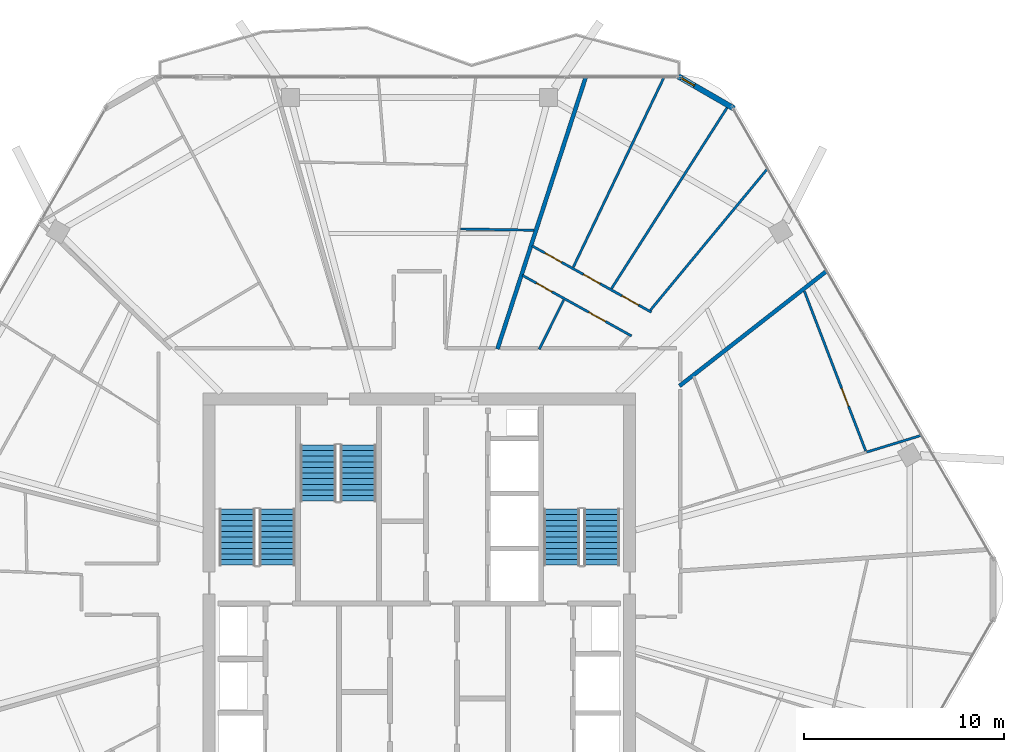
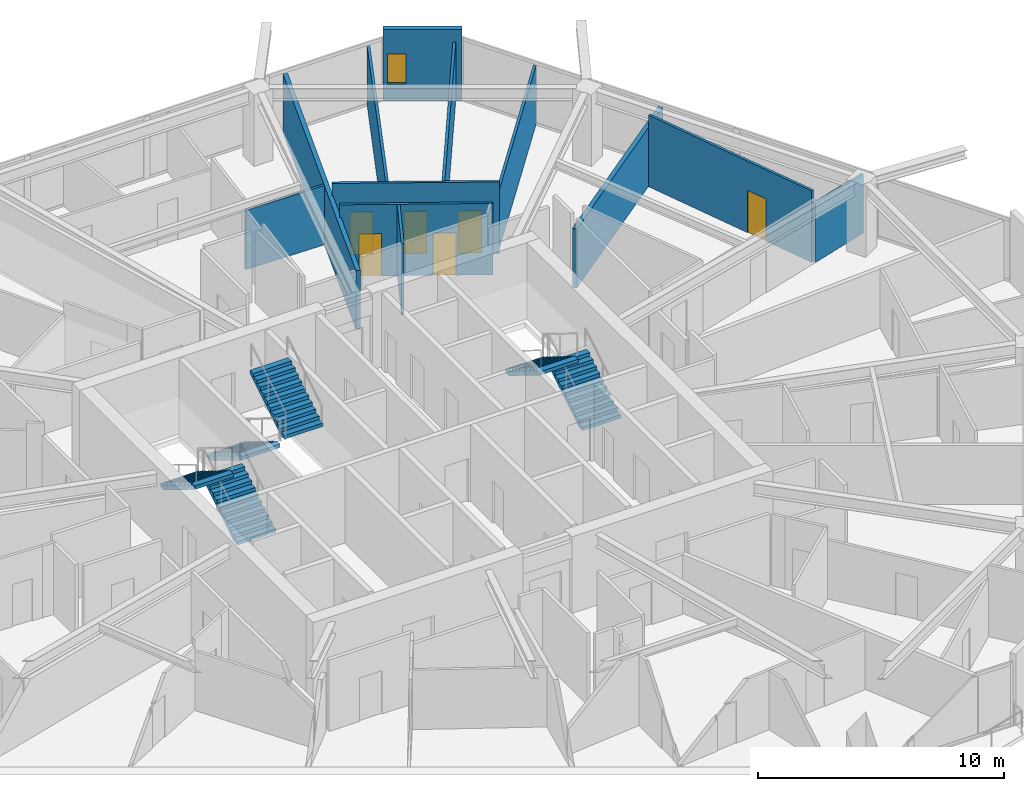
# One storey, part 24 of 26: 12 walls, 6 doors, 6 stair flights, 1 window, 7 openings, 3 elements without a shape of their own.
"""IFC4 building model written with IfcOpenShell, lengths in metres."""

from ifc_helpers import new_model, si_unit, direction, frame, frame_2d, origin, place, context, subcontext, project, spatial, polyline, rectangle, outline, extrude, material, layer, layer_set, type_object, element, fill, aggregate, save


model = new_model("IFC4")

# Units and contexts
model_context = context("Model", 3, precision=1e-05, world=origin(), true_north=direction((0.0, 1.0)))
body_context = subcontext(model_context, "Body", "Model", "MODEL_VIEW")
ifc_project = project(units=[si_unit("LENGTHUNIT", "METRE"), si_unit("AREAUNIT", "SQUARE_METRE"), si_unit("VOLUMEUNIT", "CUBIC_METRE"), si_unit("PLANEANGLEUNIT", "RADIAN"), si_unit("MASSUNIT", "GRAM", prefix="KILO")], contexts=[model_context])

# Site, building, storey
site_placement = place(None, origin())
site = spatial("IfcSite", under=ifc_project, at=site_placement, CompositionType="ELEMENT")
building_placement = place(site_placement, origin())
building = spatial("IfcBuilding", under=site, at=building_placement, Name="Zuhravey Tower", CompositionType="ELEMENT")
storey_placement = place(building_placement, frame((0.0, 0.0, 242.60009765625)))
storey = spatial("IfcBuildingStorey", under=building, at=storey_placement, Name="L61", CompositionType="ELEMENT", Elevation=242.60009765625)

# Wall, opening, window
ifc_material_1 = material(Name="Precast concrete C40/50", Category="concrete")
ifc_layer_1 = layer(ifc_material_1, 0.280029296875)
ifc_layer_set_1 = layer_set([ifc_layer_1], Name="Precast concrete C40/50")
wall_type_1 = type_object("IfcWallType", Name="Crown Architectural Wall 280", PredefinedType="SOLIDWALL", material=ifc_layer_set_1)
wall_1_placement = place(storey_placement, frame((48.930419921875, 57.611083984375, 0.0), z_axis=(0.0, 0.0, 1.0), x_axis=(0.866028773314, -0.499994163758, 0.0)))
wall_1 = element("IfcWall", 1, at=wall_1_placement, inside=storey, type_object=wall_type_1, Name="L61 Rounded Corner Closure Wall EW28-10", PredefinedType="SOLIDWALL", context=body_context, shape_type="SweptSolid", body=[
    extrude(rectangle(XDim=3.21484375, YDim=0.280029296875, at=frame_2d((1.607421875, 0.0))), origin(), (0.0, 0.0, 1.0), 3.5498046875),
])
opening_1_placement = place(wall_1_placement, frame((0.17578125, 0.0, 0.85009765625)))
opening_1 = element("IfcOpeningElement", 2, at=opening_1_placement, cuts=wall_1, Name="Opening WN5", PredefinedType="OPENING", context=body_context, shape_type="SweptSolid", body=[
    extrude(rectangle(XDim=0.75, YDim=1.5, at=frame_2d((0.375, 0.75))), frame((0.0, 0.152099609375, 0.0), z_axis=(0.0, -1.0, 0.0), x_axis=(1.0, 0.0, 0.0)), (0.0, 0.0, 1.0), 0.303955078125),
])
ifc_material_2 = material(Name="Thermally broken aluminium and triple low-E glass", Category="aluminium")
window_type = type_object("IfcWindowType", Name="Residential Corner Casement Window 750x1500", PartitioningType="SINGLE_PANEL", PredefinedType="WINDOW", material=ifc_material_2)
window_placement = place(opening_1_placement, origin())
window = element("IfcWindow", 3, at=window_placement, inside=storey, type_object=window_type, Name="L61 Corner Casement Window WN5-10.1", OverallHeight=1.5, OverallWidth=0.75, PartitioningType="SINGLE_PANEL", PredefinedType="WINDOW", context=body_context, shape_type="SweptSolid", body=[
    extrude(rectangle(XDim=0.75, YDim=1.5, at=frame_2d((0.375, 0.75))), frame((0.0, 0.030029296875, 0.0), z_axis=(0.0, -1.0, 0.0), x_axis=(1.0, 0.0, 0.0)), (0.0, 0.0, 1.0), 0.06005859375),
])
fill(opening_1, window)

# Walls
ifc_material_3 = material(Name="Gypsum double-stud party assembly")
ifc_layer_2 = layer(ifc_material_3, 0.199951171875)
ifc_layer_set_2 = layer_set([ifc_layer_2], Name="Gypsum double-stud party assembly")
wall_type_2 = type_object("IfcWallType", Name="Inter-Tenancy Party Wall 200", PredefinedType="PARTITIONING", material=ifc_layer_set_2)
wall_2_placement = place(storey_placement, frame((48.989990234375, 42.14892578125, 0.0), z_axis=(0.0, 0.0, 1.0), x_axis=(0.788003348051, 0.615670953887, 0.0)))
element("IfcWall", 4, at=wall_2_placement, inside=storey, type_object=wall_type_2, Name="L61 IW20 Partition 112", PredefinedType="PARTITIONING", context=body_context, shape_type="SweptSolid", body=[
    extrude(rectangle(XDim=9.330322265625, YDim=0.199951171875, at=frame_2d((4.6650390625, 0.0))), origin(), (0.0, 0.0, 1.0), 2.929931640625),
])
wall_3_placement = place(storey_placement, frame((39.895751953125, 43.989990234375, 0.0), z_axis=(0.0, 0.0, 1.0), x_axis=(0.309018769513, 0.951055939516, 0.0)))
element("IfcWall", 5, at=wall_3_placement, inside=storey, type_object=wall_type_2, Name="L61 IW20 Partition 118", PredefinedType="PARTITIONING", context=body_context, shape_type="SweptSolid", body=[
    extrude(rectangle(XDim=14.272216796875, YDim=0.199951171875, at=frame_2d((7.13623046875, 0.0))), origin(), (0.0, 0.0, 1.0), 2.929931640625),
])

# Wall, opening, door
ifc_material_4 = material(Name="Gypsum metal-stud partition")
ifc_layer_3 = layer(ifc_material_4, 0.1201171875)
ifc_layer_set_3 = layer_set([ifc_layer_3], Name="Gypsum metal-stud partition")
wall_type_3 = type_object("IfcWallType", Name="Unit Internal Partition 120", PredefinedType="PARTITIONING", material=ifc_layer_set_3)
wall_4_placement = place(storey_placement, frame((58.288818359375, 38.902587890625, 0.0), z_axis=(0.0, 0.0, 1.0), x_axis=(-0.358377768056, 0.933576657465, 0.0)))
wall_4 = element("IfcWall", 6, at=wall_4_placement, inside=storey, type_object=wall_type_3, Name="L61 IW12 Partition 059", PredefinedType="PARTITIONING", context=body_context, shape_type="SweptSolid", body=[
    extrude(rectangle(XDim=8.544189453125, YDim=0.1201171875, at=frame_2d((4.27197265625, 0.0))), origin(), (0.0, 0.0, 1.0), 3.5498046875),
])
opening_2_placement = place(wall_4_placement, frame((2.392822265625, 0.0, 0.0)))
opening_2 = element("IfcOpeningElement", 7, at=opening_2_placement, cuts=wall_4, Name="Opening IND1", PredefinedType="OPENING", context=body_context, shape_type="SweptSolid", body=[
    extrude(rectangle(XDim=0.949951171875, YDim=2.10009765625, at=frame_2d((0.47509765625, 1.050048828125))), frame((0.0, 0.072021484375, 0.0), z_axis=(0.0, -1.0, 0.0), x_axis=(1.0, 0.0, 0.0)), (0.0, 0.0, 1.0), 0.14404296875),
])
ifc_material_5 = material(Name="Painted engineered timber leaf", Category="wood")
door_type_1 = type_object("IfcDoorType", Name="Internal Room & Bedroom Door 950x2100", OperationType="NOTDEFINED", PredefinedType="DOOR", material=ifc_material_5)
door_1_placement = place(opening_2_placement, frame((0.949951171875, 0.0, 0.0), z_axis=(0.0, 0.0, 1.0), x_axis=(-1.0, 0.0, 0.0)))
door_1 = element("IfcDoor", 8, at=door_1_placement, inside=storey, type_object=door_type_1, Name="Apartment L61-09 Bedroom 1 Door", OperationType="SINGLE_SWING_RIGHT", OverallHeight=2.10009765625, OverallWidth=0.949951171875, PredefinedType="DOOR", context=body_context, shape_type="SweptSolid", body=[
    extrude(rectangle(XDim=0.949951171875, YDim=2.10009765625, at=frame_2d((0.47509765625, 1.050048828125))), frame((0.0, 0.02490234375, 0.0), z_axis=(0.0, -1.0, 0.0), x_axis=(1.0, 0.0, 0.0)), (0.0, 0.0, 1.0), 0.050048828125),
])
fill(opening_2, door_1)

# Wall, openings, doors
wall_5_placement = place(storey_placement, frame((46.597412109375, 44.644287109375, 0.0), z_axis=(0.0, 0.0, 1.0), x_axis=(-0.874105625874, 0.48573588998, 0.0)))
wall_5 = element("IfcWall", 9, at=wall_5_placement, inside=storey, type_object=wall_type_3, Name="L61 IW12 Partition 061", PredefinedType="PARTITIONING", context=body_context, shape_type="SweptSolid", body=[
    extrude(rectangle(XDim=6.24365234375, YDim=0.1201171875, at=frame_2d((3.121826171875, 0.0))), origin(), (0.0, 0.0, 1.0), 3.5498046875),
])
opening_3_placement = place(wall_5_placement, frame((1.4951171875, 0.0, 0.0)))
opening_3 = element("IfcOpeningElement", 10, at=opening_3_placement, cuts=wall_5, Name="Opening IND1", PredefinedType="OPENING", context=body_context, shape_type="SweptSolid", body=[
    extrude(rectangle(XDim=0.949951171875, YDim=2.10009765625, at=frame_2d((0.47509765625, 1.050048828125))), frame((0.0, 0.072021484375, 0.0), z_axis=(0.0, -1.0, 0.0), x_axis=(1.0, 0.0, 0.0)), (0.0, 0.0, 1.0), 0.14404296875),
])
opening_4_placement = place(wall_5_placement, frame((4.540283203125, 0.0, 0.0)))
opening_4 = element("IfcOpeningElement", 11, at=opening_4_placement, cuts=wall_5, Name="Opening WCD1", PredefinedType="OPENING", context=body_context, shape_type="SweptSolid", body=[
    extrude(rectangle(XDim=0.89990234375, YDim=2.10009765625, at=frame_2d((0.449951171875, 1.050048828125))), frame((0.0, 0.072021484375, 0.0), z_axis=(0.0, -1.0, 0.0), x_axis=(1.0, 0.0, 0.0)), (0.0, 0.0, 1.0), 0.14404296875),
])
ifc_material_6 = material(Name="Moisture-resistant timber leaf", Category="wood")
door_type_2 = type_object("IfcDoorType", Name="Bathroom & WC Internal Door 900x2100", OperationType="NOTDEFINED", PredefinedType="DOOR", material=ifc_material_6)
door_2_placement = place(opening_4_placement, origin())
door_2 = element("IfcDoor", 12, at=door_2_placement, inside=storey, type_object=door_type_2, Name="Apartment L61-10 Bathroom Door", OperationType="SINGLE_SWING_LEFT", OverallHeight=2.10009765625, OverallWidth=0.89990234375, PredefinedType="DOOR", context=body_context, shape_type="SweptSolid", body=[
    extrude(rectangle(XDim=0.89990234375, YDim=2.10009765625, at=frame_2d((0.449951171875, 1.050048828125))), frame((0.0, 0.02490234375, 0.0), z_axis=(0.0, -1.0, 0.0), x_axis=(1.0, 0.0, 0.0)), (0.0, 0.0, 1.0), 0.050048828125),
])
fill(opening_4, door_2)
door_3_placement = place(opening_3_placement, origin())
door_3 = element("IfcDoor", 13, at=door_3_placement, inside=storey, type_object=door_type_1, Name="Apartment L61-10 Kitchen Door", OperationType="SINGLE_SWING_RIGHT", OverallHeight=2.10009765625, OverallWidth=0.949951171875, PredefinedType="DOOR", context=body_context, shape_type="SweptSolid", body=[
    extrude(rectangle(XDim=0.949951171875, YDim=2.10009765625, at=frame_2d((0.47509765625, 1.050048828125))), frame((0.0, 0.02490234375, 0.0), z_axis=(0.0, -1.0, 0.0), x_axis=(1.0, 0.0, 0.0)), (0.0, 0.0, 1.0), 0.050048828125),
])
fill(opening_3, door_3)

wall_6_placement = place(storey_placement, frame((47.58349609375, 45.835205078125, 0.0), z_axis=(0.0, 0.0, 1.0), x_axis=(-0.874098085508, 0.485749458993, 0.0)))
wall_6 = element("IfcWall", 14, at=wall_6_placement, inside=storey, type_object=wall_type_3, Name="L61 IW12 Partition 062", PredefinedType="PARTITIONING", context=body_context, shape_type="SweptSolid", body=[
    extrude(rectangle(XDim=6.810302734375, YDim=0.1201171875, at=frame_2d((3.4052734375, 0.0))), origin(), (0.0, 0.0, 1.0), 3.5498046875),
])
opening_5_placement = place(wall_6_placement, frame((0.732421875, 0.0, 0.0)))
opening_5 = element("IfcOpeningElement", 15, at=opening_5_placement, cuts=wall_6, Name="Opening IND1", PredefinedType="OPENING", context=body_context, shape_type="SweptSolid", body=[
    extrude(rectangle(XDim=0.949951171875, YDim=2.10009765625, at=frame_2d((0.47509765625, 1.050048828125))), frame((0.0, 0.072021484375, 0.0), z_axis=(0.0, -1.0, 0.0), x_axis=(1.0, 0.0, 0.0)), (0.0, 0.0, 1.0), 0.14404296875),
])
opening_6_placement = place(wall_6_placement, frame((2.93017578125, 0.0, 0.0)))
opening_6 = element("IfcOpeningElement", 16, at=opening_6_placement, cuts=wall_6, Name="Opening IND1", PredefinedType="OPENING", context=body_context, shape_type="SweptSolid", body=[
    extrude(rectangle(XDim=0.949951171875, YDim=2.10009765625, at=frame_2d((0.47509765625, 1.050048828125))), frame((0.0, 0.072021484375, 0.0), z_axis=(0.0, -1.0, 0.0), x_axis=(1.0, 0.0, 0.0)), (0.0, 0.0, 1.0), 0.14404296875),
])
opening_7_placement = place(wall_6_placement, frame((5.127685546875, 0.0, 0.0)))
opening_7 = element("IfcOpeningElement", 17, at=opening_7_placement, cuts=wall_6, Name="Opening IND1", PredefinedType="OPENING", context=body_context, shape_type="SweptSolid", body=[
    extrude(rectangle(XDim=0.949951171875, YDim=2.10009765625, at=frame_2d((0.47509765625, 1.050048828125))), frame((0.0, 0.072021484375, 0.0), z_axis=(0.0, -1.0, 0.0), x_axis=(1.0, 0.0, 0.0)), (0.0, 0.0, 1.0), 0.14404296875),
])
door_4_placement = place(opening_5_placement, frame((0.949951171875, 0.0, 0.0), z_axis=(0.0, 0.0, 1.0), x_axis=(-1.0, 0.0, 0.0)))
door_4 = element("IfcDoor", 18, at=door_4_placement, inside=storey, type_object=door_type_1, Name="Apartment L61-10 Bedroom 1 Door", OperationType="SINGLE_SWING_RIGHT", OverallHeight=2.10009765625, OverallWidth=0.949951171875, PredefinedType="DOOR", context=body_context, shape_type="SweptSolid", body=[
    extrude(rectangle(XDim=0.949951171875, YDim=2.10009765625, at=frame_2d((0.47509765625, 1.050048828125))), frame((0.0, 0.02490234375, 0.0), z_axis=(0.0, -1.0, 0.0), x_axis=(1.0, 0.0, 0.0)), (0.0, 0.0, 1.0), 0.050048828125),
])
fill(opening_5, door_4)
door_5_placement = place(opening_6_placement, frame((0.949951171875, 0.0, 0.0), z_axis=(0.0, 0.0, 1.0), x_axis=(-1.0, 0.0, 0.0)))
door_5 = element("IfcDoor", 19, at=door_5_placement, inside=storey, type_object=door_type_1, Name="Apartment L61-10 Bedroom 2 Door", OperationType="SINGLE_SWING_LEFT", OverallHeight=2.10009765625, OverallWidth=0.949951171875, PredefinedType="DOOR", context=body_context, shape_type="SweptSolid", body=[
    extrude(rectangle(XDim=0.949951171875, YDim=2.10009765625, at=frame_2d((0.47509765625, 1.050048828125))), frame((0.0, 0.02490234375, 0.0), z_axis=(0.0, -1.0, 0.0), x_axis=(1.0, 0.0, 0.0)), (0.0, 0.0, 1.0), 0.050048828125),
])
fill(opening_6, door_5)
door_6_placement = place(opening_7_placement, frame((0.949951171875, 0.0, 0.0), z_axis=(0.0, 0.0, 1.0), x_axis=(-1.0, 0.0, 0.0)))
door_6 = element("IfcDoor", 20, at=door_6_placement, inside=storey, type_object=door_type_1, Name="Apartment L61-10 Bedroom 3 Door", OperationType="SINGLE_SWING_RIGHT", OverallHeight=2.10009765625, OverallWidth=0.949951171875, PredefinedType="DOOR", context=body_context, shape_type="SweptSolid", body=[
    extrude(rectangle(XDim=0.949951171875, YDim=2.10009765625, at=frame_2d((0.47509765625, 1.050048828125))), frame((0.0, 0.02490234375, 0.0), z_axis=(0.0, -1.0, 0.0), x_axis=(1.0, 0.0, 0.0)), (0.0, 0.0, 1.0), 0.050048828125),
])
fill(opening_7, door_6)

# Walls
wall_7_placement = place(storey_placement, frame((58.3369140625, 38.84619140625, 0.0), z_axis=(0.0, 0.0, 1.0), x_axis=(0.956107218271, 0.293017042457, 0.0)))
element("IfcWall", 21, at=wall_7_placement, inside=storey, type_object=wall_type_3, Name="L61 IW12 Partition 110", PredefinedType="PARTITIONING", context=body_context, shape_type="SweptSolid", body=[
    extrude(rectangle(XDim=2.873779296875, YDim=0.1201171875, at=frame_2d((1.43701171875, 0.0))), origin(), (0.0, 0.0, 1.0), 2.929931640625),
])
wall_8_placement = place(storey_placement, frame((41.979736328125, 43.97998046875, 0.0), z_axis=(0.0, 0.0, 1.0), x_axis=(0.446611639488, 0.894727915891, 0.0)))
element("IfcWall", 22, at=wall_8_placement, inside=storey, type_object=wall_type_3, Name="L61 IW12 Partition 113", PredefinedType="PARTITIONING", context=body_context, shape_type="SweptSolid", body=[
    extrude(rectangle(XDim=2.75830078125, YDim=0.1201171875, at=frame_2d((1.379150390625, 0.0))), origin(), (0.0, 0.0, 1.0), 3.5498046875),
])
wall_9_placement = place(storey_placement, frame((45.596435546875, 47.01708984375, 0.0), z_axis=(0.0, 0.0, 1.0), x_axis=(0.538471979817, 0.842643416252, 0.0)))
element("IfcWall", 23, at=wall_9_placement, inside=storey, type_object=wall_type_3, Name="L61 IW12 Partition 114", PredefinedType="PARTITIONING", context=body_context, shape_type="SweptSolid", body=[
    extrude(rectangle(XDim=10.947265625, YDim=0.1201171875, at=frame_2d((5.4736328125, 0.0))), origin(), (0.0, 0.0, 1.0), 2.929931640625),
])
wall_10_placement = place(storey_placement, frame((43.68359375, 48.080078125, 0.0), z_axis=(0.0, 0.0, 1.0), x_axis=(0.431150039007, 0.902280246855, 0.0)))
element("IfcWall", 24, at=wall_10_placement, inside=storey, type_object=wall_type_3, Name="L61 IW12 Partition 115", PredefinedType="PARTITIONING", context=body_context, shape_type="SweptSolid", body=[
    extrude(rectangle(XDim=10.521484375, YDim=0.1201171875, at=frame_2d((5.2607421875, 0.0))), origin(), (0.0, 0.0, 1.0), 2.929931640625),
])
wall_11_placement = place(storey_placement, frame((47.538818359375, 45.93798828125, 0.0), z_axis=(0.0, 0.0, 1.0), x_axis=(0.637687358295, 0.770295289529, 0.0)))
element("IfcWall", 25, at=wall_11_placement, inside=storey, type_object=wall_type_3, Name="L61 IW12 Partition 117", PredefinedType="PARTITIONING", context=body_context, shape_type="SweptSolid", body=[
    extrude(rectangle(XDim=9.18701171875, YDim=0.1201171875, at=frame_2d((4.593505859375, 0.0))), origin(), (0.0, 0.0, 1.0), 2.929931640625),
])
wall_12_placement = place(storey_placement, frame((41.711181640625, 49.927001953125, 0.0), z_axis=(0.0, 0.0, 1.0), x_axis=(-0.999847573959, 0.017459348466, 0.0)))
element("IfcWall", 26, at=wall_12_placement, inside=storey, type_object=wall_type_3, Name="L61 IW12 Partition 121", PredefinedType="PARTITIONING", context=body_context, shape_type="SweptSolid", body=[
    extrude(rectangle(XDim=3.66357421875, YDim=0.1201171875, at=frame_2d((1.831787109375, 0.0))), origin(), (0.0, 0.0, 1.0), 2.949951171875),
])

# Stair, stair flights
ifc_material_7 = material(Name="Concrete C40/50", Category="concrete")
stair_type = type_object("IfcStairType", Name="Housing Storey Stair Assembly 3800", PredefinedType="HALF_TURN_STAIR", material=ifc_material_7)
stair_1_placement = place(storey_placement, origin())
stair_1 = element("IfcStair", 27, at=stair_1_placement, inside=storey, type_object=stair_type, Name="L61 Core Exit Stair ST1", PredefinedType="HALF_TURN_STAIR")
stair_flight_type = type_object("IfcStairFlightType", Name="Housing Storey Stair Flight 3800", PredefinedType="STRAIGHT", material=ifc_material_7)
stair_flight_1_placement = place(storey_placement, frame((28.89990234375, 33.199951171875, 0.0), z_axis=(0.0, 0.0, 1.0), x_axis=(0.0, 1.0, 0.0)))
stair_flight_1 = element("IfcStairFlight", 28, at=stair_flight_1_placement, type_object=stair_flight_type, Name="ST1 flight 1", NumberOfRisers=11, NumberOfTreads=10, PredefinedType="STRAIGHT", RiserHeight=0.172727273, TreadLength=0.28, context=body_context, shape_type="SweptSolid", body=[
    extrude(outline(polyline([(0.0, 0.0), (0.0, 0.172607421875), (0.280029296875, 0.172607421875), (0.280029296875, 0.345458984375), (0.56005859375, 0.345458984375), (0.56005859375, 0.51806640625), (0.840087890625, 0.51806640625), (0.840087890625, 0.69091796875), (1.1201171875, 0.69091796875), (1.1201171875, 0.863525390625), (1.39990234375, 0.863525390625), (1.39990234375, 1.036376953125), (1.679931640625, 1.036376953125), (1.679931640625, 1.208984375), (1.9599609375, 1.208984375), (1.9599609375, 1.3818359375), (2.239990234375, 1.3818359375), (2.239990234375, 1.554443359375), (2.52001953125, 1.554443359375), (2.52001953125, 1.727294921875), (2.800048828125, 1.727294921875), (2.800048828125, 1.89990234375), (2.800048828125, 1.551025390625), (0.285400390625, 0.0), (0.0, 0.0)])), frame((0.0, 0.89990234375, 0.0), z_axis=(0.0, -1.0, 0.0), x_axis=(1.0, 0.0, 0.0)), (0.0, 0.0, 1.0), 1.800048828125),
])
stair_flight_2_placement = place(storey_placement, frame((26.89990234375, 36.0, 1.89990234375), z_axis=(0.0, 0.0, 1.0), x_axis=(0.0, -1.0, 0.0)))
stair_flight_2 = element("IfcStairFlight", 29, at=stair_flight_2_placement, type_object=stair_flight_type, Name="ST1 flight 2", NumberOfRisers=11, NumberOfTreads=10, PredefinedType="STRAIGHT", RiserHeight=0.172727273, TreadLength=0.28, context=body_context, shape_type="SweptSolid", body=[
    extrude(outline(polyline([(0.0, 0.0), (0.0, 0.172607421875), (0.280029296875, 0.172607421875), (0.280029296875, 0.345458984375), (0.56005859375, 0.345458984375), (0.56005859375, 0.51806640625), (0.840087890625, 0.51806640625), (0.840087890625, 0.69091796875), (1.1201171875, 0.69091796875), (1.1201171875, 0.863525390625), (1.39990234375, 0.863525390625), (1.39990234375, 1.036376953125), (1.679931640625, 1.036376953125), (1.679931640625, 1.208984375), (1.9599609375, 1.208984375), (1.9599609375, 1.3818359375), (2.239990234375, 1.3818359375), (2.239990234375, 1.554443359375), (2.52001953125, 1.554443359375), (2.52001953125, 1.727294921875), (2.800048828125, 1.727294921875), (2.800048828125, 1.89990234375), (2.800048828125, 1.551025390625), (0.285400390625, 0.0), (0.0, 0.0)])), frame((0.0, 0.89990234375, 0.0), z_axis=(0.0, -1.0, 0.0), x_axis=(1.0, 0.0, 0.0)), (0.0, 0.0, 1.0), 1.800048828125),
])
aggregate(stair_1, [stair_flight_1, stair_flight_2])

stair_2_placement = place(storey_placement, origin())
stair_2 = element("IfcStair", 30, at=stair_2_placement, inside=storey, type_object=stair_type, Name="L61 Core Exit Stair ST2", PredefinedType="HALF_TURN_STAIR")
stair_flight_3_placement = place(storey_placement, frame((45.10009765625, 33.199951171875, 0.0), z_axis=(0.0, 0.0, 1.0), x_axis=(0.0, 1.0, 0.0)))
stair_flight_3 = element("IfcStairFlight", 31, at=stair_flight_3_placement, type_object=stair_flight_type, Name="ST2 flight 1", NumberOfRisers=11, NumberOfTreads=10, PredefinedType="STRAIGHT", RiserHeight=0.172727273, TreadLength=0.28, context=body_context, shape_type="SweptSolid", body=[
    extrude(outline(polyline([(0.0, 0.0), (0.0, 0.172607421875), (0.280029296875, 0.172607421875), (0.280029296875, 0.345458984375), (0.56005859375, 0.345458984375), (0.56005859375, 0.51806640625), (0.840087890625, 0.51806640625), (0.840087890625, 0.69091796875), (1.1201171875, 0.69091796875), (1.1201171875, 0.863525390625), (1.39990234375, 0.863525390625), (1.39990234375, 1.036376953125), (1.679931640625, 1.036376953125), (1.679931640625, 1.208984375), (1.9599609375, 1.208984375), (1.9599609375, 1.3818359375), (2.239990234375, 1.3818359375), (2.239990234375, 1.554443359375), (2.52001953125, 1.554443359375), (2.52001953125, 1.727294921875), (2.800048828125, 1.727294921875), (2.800048828125, 1.89990234375), (2.800048828125, 1.551025390625), (0.285400390625, 0.0), (0.0, 0.0)])), frame((0.0, 0.89990234375, 0.0), z_axis=(0.0, -1.0, 0.0), x_axis=(1.0, 0.0, 0.0)), (0.0, 0.0, 1.0), 1.800048828125),
])
stair_flight_4_placement = place(storey_placement, frame((43.10009765625, 36.0, 1.89990234375), z_axis=(0.0, 0.0, 1.0), x_axis=(0.0, -1.0, 0.0)))
stair_flight_4 = element("IfcStairFlight", 32, at=stair_flight_4_placement, type_object=stair_flight_type, Name="ST2 flight 2", NumberOfRisers=11, NumberOfTreads=10, PredefinedType="STRAIGHT", RiserHeight=0.172727273, TreadLength=0.28, context=body_context, shape_type="SweptSolid", body=[
    extrude(outline(polyline([(0.0, 0.0), (0.0, 0.172607421875), (0.280029296875, 0.172607421875), (0.280029296875, 0.345458984375), (0.56005859375, 0.345458984375), (0.56005859375, 0.51806640625), (0.840087890625, 0.51806640625), (0.840087890625, 0.69091796875), (1.1201171875, 0.69091796875), (1.1201171875, 0.863525390625), (1.39990234375, 0.863525390625), (1.39990234375, 1.036376953125), (1.679931640625, 1.036376953125), (1.679931640625, 1.208984375), (1.9599609375, 1.208984375), (1.9599609375, 1.3818359375), (2.239990234375, 1.3818359375), (2.239990234375, 1.554443359375), (2.52001953125, 1.554443359375), (2.52001953125, 1.727294921875), (2.800048828125, 1.727294921875), (2.800048828125, 1.89990234375), (2.800048828125, 1.551025390625), (0.285400390625, 0.0), (0.0, 0.0)])), frame((0.0, 0.89990234375, 0.0), z_axis=(0.0, -1.0, 0.0), x_axis=(1.0, 0.0, 0.0)), (0.0, 0.0, 1.0), 1.800048828125),
])
aggregate(stair_2, [stair_flight_3, stair_flight_4])

stair_3_placement = place(storey_placement, origin())
stair_3 = element("IfcStair", 33, at=stair_3_placement, inside=storey, type_object=stair_type, Name="L61 Core Exit Stair ST3", PredefinedType="HALF_TURN_STAIR")
stair_flight_5_placement = place(storey_placement, frame((30.949951171875, 39.199951171875, 0.0), z_axis=(0.0, 0.0, 1.0), x_axis=(0.0, -1.0, 0.0)))
stair_flight_5 = element("IfcStairFlight", 34, at=stair_flight_5_placement, type_object=stair_flight_type, Name="ST3 flight 1", NumberOfRisers=11, NumberOfTreads=10, PredefinedType="STRAIGHT", RiserHeight=0.172727273, TreadLength=0.28, context=body_context, shape_type="SweptSolid", body=[
    extrude(outline(polyline([(0.0, 0.0), (0.0, 0.172607421875), (0.280029296875, 0.172607421875), (0.280029296875, 0.345458984375), (0.56005859375, 0.345458984375), (0.56005859375, 0.51806640625), (0.840087890625, 0.51806640625), (0.840087890625, 0.69091796875), (1.1201171875, 0.69091796875), (1.1201171875, 0.863525390625), (1.39990234375, 0.863525390625), (1.39990234375, 1.036376953125), (1.679931640625, 1.036376953125), (1.679931640625, 1.208984375), (1.9599609375, 1.208984375), (1.9599609375, 1.3818359375), (2.239990234375, 1.3818359375), (2.239990234375, 1.554443359375), (2.52001953125, 1.554443359375), (2.52001953125, 1.727294921875), (2.800048828125, 1.727294921875), (2.800048828125, 1.89990234375), (2.800048828125, 1.551025390625), (0.285400390625, 0.0), (0.0, 0.0)])), frame((0.0, 0.89990234375, 0.0), z_axis=(0.0, -1.0, 0.0), x_axis=(1.0, 0.0, 0.0)), (0.0, 0.0, 1.0), 1.800048828125),
])
stair_flight_6_placement = place(storey_placement, frame((32.949951171875, 36.39990234375, 1.89990234375), z_axis=(0.0, 0.0, 1.0), x_axis=(0.0, 1.0, 0.0)))
stair_flight_6 = element("IfcStairFlight", 35, at=stair_flight_6_placement, type_object=stair_flight_type, Name="ST3 flight 2", NumberOfRisers=11, NumberOfTreads=10, PredefinedType="STRAIGHT", RiserHeight=0.172727273, TreadLength=0.28, context=body_context, shape_type="SweptSolid", body=[
    extrude(outline(polyline([(0.0, 0.0), (0.0, 0.172607421875), (0.280029296875, 0.172607421875), (0.280029296875, 0.345458984375), (0.56005859375, 0.345458984375), (0.56005859375, 0.51806640625), (0.840087890625, 0.51806640625), (0.840087890625, 0.69091796875), (1.1201171875, 0.69091796875), (1.1201171875, 0.863525390625), (1.39990234375, 0.863525390625), (1.39990234375, 1.036376953125), (1.679931640625, 1.036376953125), (1.679931640625, 1.208984375), (1.9599609375, 1.208984375), (1.9599609375, 1.3818359375), (2.239990234375, 1.3818359375), (2.239990234375, 1.554443359375), (2.52001953125, 1.554443359375), (2.52001953125, 1.727294921875), (2.800048828125, 1.727294921875), (2.800048828125, 1.89990234375), (2.800048828125, 1.551025390625), (0.285400390625, 0.0), (0.0, 0.0)])), frame((0.0, 0.89990234375, 0.0), z_axis=(0.0, -1.0, 0.0), x_axis=(1.0, 0.0, 0.0)), (0.0, 0.0, 1.0), 1.800048828125),
])
aggregate(stair_3, [stair_flight_5, stair_flight_6])

save(model, "model.ifc")
